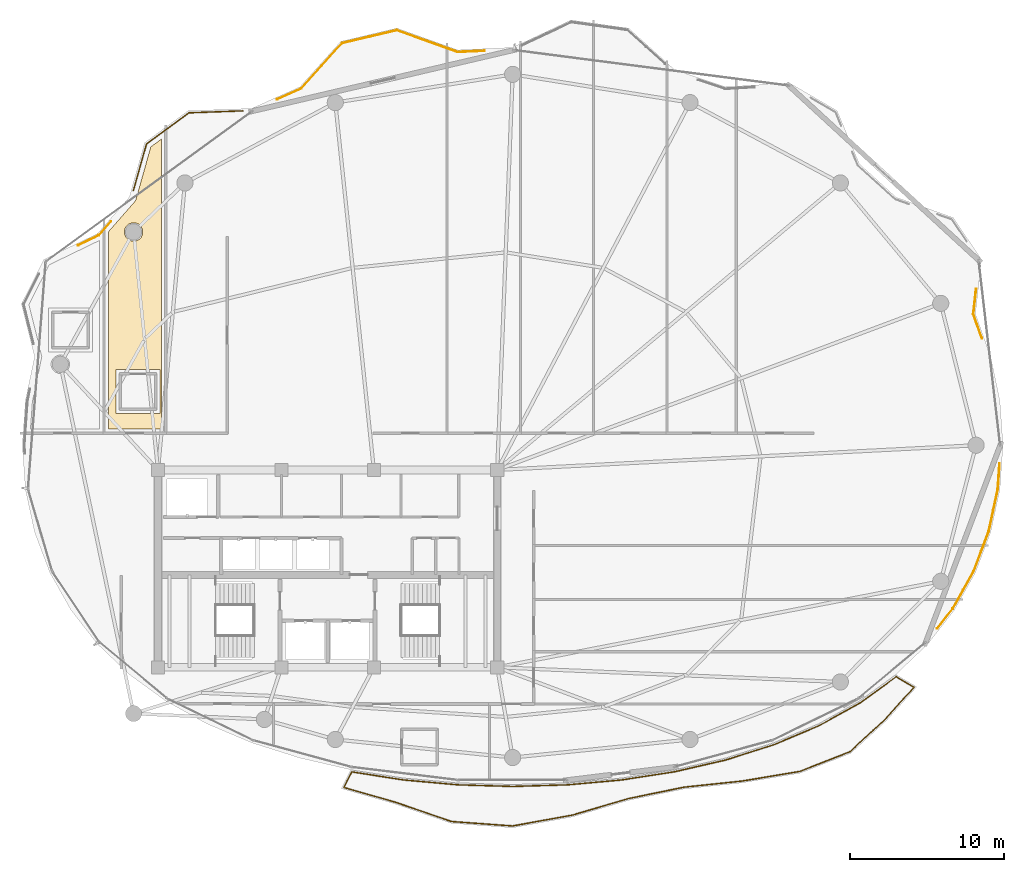
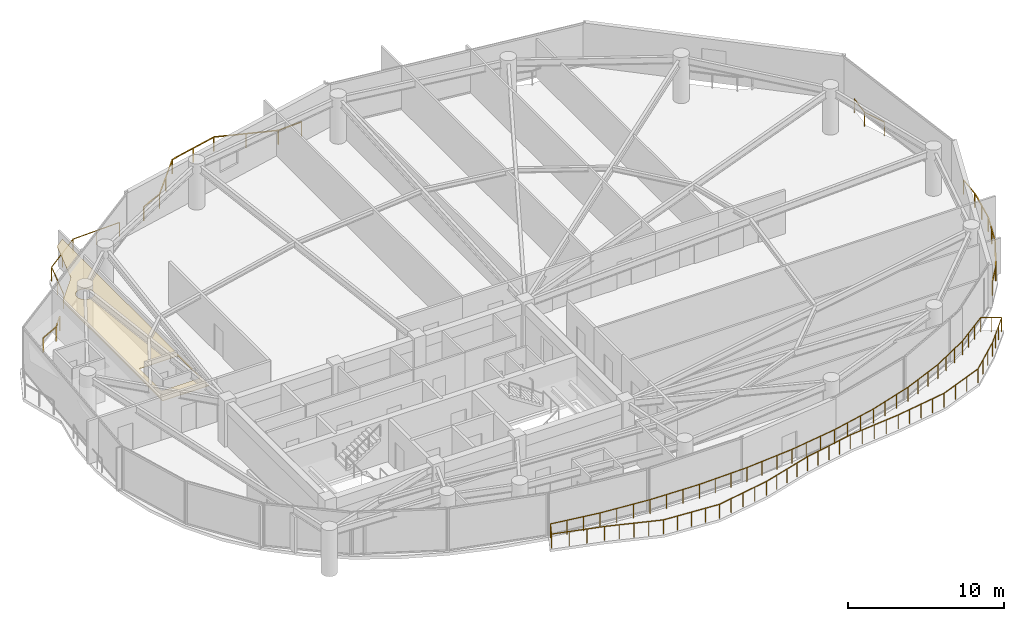
# One storey, part 30 of 31: 6 railings, 1 covering.
"""IFC4 building model written with IfcOpenShell, lengths in metres."""

from ifc_helpers import new_model, si_unit, direction, frame, origin, origin_2d, place, context, subcontext, project, spatial, polyline, rectangle, outline, extrude, material, layer, layer_set, type_object, element, save


model = new_model("IFC4")

# Units and contexts
model_context = context("Model", 3, precision=1e-05, world=origin(), true_north=direction((0.0, 1.0)))
body_context = subcontext(model_context, "Body", "Model", "MODEL_VIEW")
ifc_project = project(units=[si_unit("LENGTHUNIT", "METRE"), si_unit("AREAUNIT", "SQUARE_METRE"), si_unit("VOLUMEUNIT", "CUBIC_METRE"), si_unit("PLANEANGLEUNIT", "RADIAN"), si_unit("MASSUNIT", "GRAM", prefix="KILO")], contexts=[model_context])

# Site, building, storey
site_placement = place(None, origin())
site = spatial("IfcSite", under=ifc_project, at=site_placement, CompositionType="ELEMENT")
building_placement = place(site_placement, origin())
building = spatial("IfcBuilding", under=site, at=building_placement, Name="Kazevale Care Tower and Concert Hall", CompositionType="ELEMENT")
storey_placement = place(building_placement, frame((0.0, 0.0, 206.39990234375)))
storey = spatial("IfcBuildingStorey", under=building, at=storey_placement, Name="L54", CompositionType="ELEMENT", Elevation=206.39990234375)

# Covering
ifc_material_1 = material(Name="Acoustic Plaster and Hinoki Wood", Category="wood")
ifc_layer = layer(ifc_material_1, 0.0400390625)
ifc_layer_set = layer_set([ifc_layer], Name="Acoustic Plaster and Hinoki Wood")
covering_type = type_object("IfcCoveringType", Name="Acoustic Perforated Wood-Gypsum Ceiling", PredefinedType="CEILING", material=ifc_layer_set)
covering_placement = place(storey_placement, frame((0.0, 0.0, 2.710205078125)))
element("IfcCovering", 1, at=covering_placement, inside=storey, type_object=covering_type, Name="clg:L54:2", PredefinedType="CEILING", context=body_context, shape_type="SweptSolid", body=[
    extrude(outline(polyline([(22.219970703125, 57.84912109375), (22.219970703125, 39.054931640625), (18.780029296875, 39.054931640625), (18.780029296875, 51.8349609375), (20.552001953125, 53.861083984375), (21.534912109375, 57.344970703125), (22.219970703125, 57.84912109375)]), holes=[polyline([(19.27001953125, 42.905029296875), (19.27001953125, 40.044921875), (22.1298828125, 40.044921875), (22.1298828125, 42.905029296875), (19.27001953125, 42.905029296875)]), polyline([(21.012939453125, 51.947998046875), (20.923095703125, 52.166015625), (20.756103515625, 52.3330078125), (20.5380859375, 52.423095703125), (20.302001953125, 52.423095703125), (20.083984375, 52.3330078125), (19.9169921875, 52.166015625), (19.826904296875, 51.947998046875), (19.826904296875, 51.7119140625), (19.9169921875, 51.493896484375), (20.083984375, 51.326904296875), (20.302001953125, 51.237060546875), (20.5380859375, 51.237060546875), (20.756103515625, 51.326904296875), (20.923095703125, 51.493896484375), (21.012939453125, 51.7119140625), (21.012939453125, 51.947998046875)])]), origin(), (0.0, 0.0, 1.0), 0.039794921875),
])

# Railings
ifc_material_2 = material(Name="Anodised Bronze Aluminium and Laminated Glass", Category="aluminium")
railing_type = type_object("IfcRailingType", Name="Balcony and Terrace Balustrade 1120", PredefinedType="BALUSTRADE", material=ifc_material_2)
railing_1_placement = place(storey_placement, frame((16.83203125, 50.968994140625, 0.0)))
element("IfcRailing", 2, at=railing_1_placement, inside=storey, type_object=railing_type, Name="rail:L54:perim:3", PredefinedType="BALUSTRADE", context=body_context, shape_type="SweptSolid", body=[
    extrude(rectangle(XDim=0.048095703125, YDim=0.048095703125, at=origin_2d()), frame((0.0, 0.0, 1.09619140625), z_axis=(0.899880965399, 0.436135584553, 0.0), x_axis=(-0.436135584553, 0.899880965399, 0.0)), (0.0, 0.0, 1.0), 1.476806640625),
    extrude(rectangle(XDim=0.048095703125, YDim=0.048095703125, at=origin_2d()), frame((1.328857421875, 0.64404296875, 1.09619140625), z_axis=(0.658533673371, 0.752551261402, 0.0), x_axis=(-0.752551261402, 0.658533673371, 0.0)), (0.0, 0.0, 1.0), 1.189208984375),
    extrude(rectangle(XDim=0.0419921875, YDim=0.0419921875, at=origin_2d()), origin(), (0.0, 0.0, 1.0), 1.072021484375),
    extrude(rectangle(XDim=0.0419921875, YDim=0.0419921875, at=origin_2d()), frame((1.328857421875, 0.64404296875, 0.0)), (0.0, 0.0, 1.0), 1.072021484375),
    extrude(rectangle(XDim=0.0419921875, YDim=0.0419921875, at=origin_2d()), frame((2.112060546875, 1.5390625, 0.0)), (0.0, 0.0, 1.0), 1.072021484375),
])
railing_2_placement = place(storey_placement, frame((20.403076171875, 54.511962890625, 0.0)))
element("IfcRailing", 3, at=railing_2_placement, inside=storey, type_object=railing_type, Name="rail:L54:perim:4", PredefinedType="BALUSTRADE", context=body_context, shape_type="SweptSolid", body=[
    extrude(rectangle(XDim=0.048095703125, YDim=0.048095703125, at=origin_2d()), frame((0.0, 0.0, 1.09619140625), z_axis=(0.27160216444, 0.962409613559, 0.0), x_axis=(-0.962409613559, 0.27160216444, 0.0)), (0.0, 0.0, 1.0), 3.144287109375),
    extrude(rectangle(XDim=0.048095703125, YDim=0.048095703125, at=origin_2d()), frame((0.85400390625, 3.026123046875, 1.09619140625), z_axis=(0.805881115656, 0.592077382973, 0.0), x_axis=(-0.592077382973, 0.805881115656, 0.0)), (0.0, 0.0, 1.0), 3.40966796875),
    extrude(rectangle(XDim=0.048095703125, YDim=0.048095703125, at=origin_2d()), frame((3.601806640625, 5.044921875, 1.09619140625), z_axis=(0.999339175446, 0.036348485787, 0.0), x_axis=(-0.036348485787, 0.999339175446, 0.0)), (0.0, 0.0, 1.0), 3.499267578125),
    extrude(rectangle(XDim=0.0419921875, YDim=0.0419921875, at=origin_2d()), origin(), (0.0, 0.0, 1.0), 1.072021484375),
    extrude(rectangle(XDim=0.0419921875, YDim=0.0419921875, at=origin_2d()), frame((0.427001953125, 1.51318359375, 0.0)), (0.0, 0.0, 1.0), 1.072021484375),
    extrude(rectangle(XDim=0.0419921875, YDim=0.0419921875, at=origin_2d()), frame((0.85400390625, 3.026123046875, 0.0)), (0.0, 0.0, 1.0), 1.072021484375),
    extrude(rectangle(XDim=0.0419921875, YDim=0.0419921875, at=origin_2d()), frame((2.22802734375, 4.03564453125, 0.0)), (0.0, 0.0, 1.0), 1.072021484375),
    extrude(rectangle(XDim=0.0419921875, YDim=0.0419921875, at=origin_2d()), frame((3.601806640625, 5.044921875, 0.0)), (0.0, 0.0, 1.0), 1.072021484375),
    extrude(rectangle(XDim=0.0419921875, YDim=0.0419921875, at=origin_2d()), frame((5.350341796875, 5.1083984375, 0.0)), (0.0, 0.0, 1.0), 1.072021484375),
    extrude(rectangle(XDim=0.0419921875, YDim=0.0419921875, at=origin_2d()), frame((7.098876953125, 5.172119140625, 0.0)), (0.0, 0.0, 1.0), 1.072021484375),
])
railing_3_placement = place(storey_placement, frame((29.737060546875, 60.43505859375, 0.0)))
element("IfcRailing", 4, at=railing_3_placement, inside=storey, type_object=railing_type, Name="rail:L54:perim:5", PredefinedType="BALUSTRADE", context=body_context, shape_type="SweptSolid", body=[
    extrude(rectangle(XDim=0.048095703125, YDim=0.048095703125, at=origin_2d()), frame((0.0, 0.0, 1.09619140625), z_axis=(0.912729386392, 0.408564642641, 0.0), x_axis=(-0.408564642641, 0.912729386392, 0.0)), (0.0, 0.0, 1.0), 1.6982421875),
    extrude(rectangle(XDim=0.048095703125, YDim=0.048095703125, at=origin_2d()), frame((1.550048828125, 0.69384765625, 1.09619140625), z_axis=(0.668500240789, 0.743711925456, 0.0), x_axis=(-0.743711925456, 0.668500240789, 0.0)), (0.0, 0.0, 1.0), 3.950439453125),
    extrude(rectangle(XDim=0.048095703125, YDim=0.048095703125, at=origin_2d()), frame((4.19091796875, 3.6318359375, 1.09619140625), z_axis=(0.97312090779, 0.2302948085, 0.0), x_axis=(-0.2302948085, 0.97312090779, 0.0)), (0.0, 0.0, 1.0), 3.652099609375),
    extrude(rectangle(XDim=0.048095703125, YDim=0.048095703125, at=origin_2d()), frame((7.744873046875, 4.472900390625, 1.09619140625), z_axis=(0.941350252636, -0.337431032749, 0.0), x_axis=(0.337431032749, 0.941350252636, 0.0)), (0.0, 0.0, 1.0), 4.18115234375),
    extrude(rectangle(XDim=0.048095703125, YDim=0.048095703125, at=origin_2d()), frame((11.680908203125, 3.06201171875, 1.09619140625), z_axis=(0.998977358959, 0.045213231333, 0.0), x_axis=(-0.045213231333, 0.998977358959, 0.0)), (0.0, 0.0, 1.0), 1.765625),
    extrude(rectangle(XDim=0.0419921875, YDim=0.0419921875, at=origin_2d()), origin(), (0.0, 0.0, 1.0), 1.072021484375),
    extrude(rectangle(XDim=0.0419921875, YDim=0.0419921875, at=origin_2d()), frame((1.550048828125, 0.69384765625, 0.0)), (0.0, 0.0, 1.0), 1.072021484375),
    extrude(rectangle(XDim=0.0419921875, YDim=0.0419921875, at=origin_2d()), frame((2.87060546875, 2.162841796875, 0.0)), (0.0, 0.0, 1.0), 1.072021484375),
    extrude(rectangle(XDim=0.0419921875, YDim=0.0419921875, at=origin_2d()), frame((4.19091796875, 3.6318359375, 0.0)), (0.0, 0.0, 1.0), 1.072021484375),
    extrude(rectangle(XDim=0.0419921875, YDim=0.0419921875, at=origin_2d()), frame((5.9677734375, 4.05224609375, 0.0)), (0.0, 0.0, 1.0), 1.072021484375),
    extrude(rectangle(XDim=0.0419921875, YDim=0.0419921875, at=origin_2d()), frame((7.744873046875, 4.472900390625, 0.0)), (0.0, 0.0, 1.0), 1.072021484375),
    extrude(rectangle(XDim=0.0419921875, YDim=0.0419921875, at=origin_2d()), frame((9.712890625, 3.767578125, 0.0)), (0.0, 0.0, 1.0), 1.072021484375),
    extrude(rectangle(XDim=0.0419921875, YDim=0.0419921875, at=origin_2d()), frame((11.680908203125, 3.06201171875, 0.0)), (0.0, 0.0, 1.0), 1.072021484375),
    extrude(rectangle(XDim=0.0419921875, YDim=0.0419921875, at=origin_2d()), frame((13.44482421875, 3.141845703125, 0.0)), (0.0, 0.0, 1.0), 1.072021484375),
])
railing_4_placement = place(storey_placement, frame((76.576904296875, 36.81103515625, 0.0)))
element("IfcRailing", 5, at=railing_4_placement, inside=storey, type_object=railing_type, Name="rail:L54:perim:11", PredefinedType="BALUSTRADE", context=body_context, shape_type="SweptSolid", body=[
    extrude(rectangle(XDim=0.048095703125, YDim=0.048095703125, at=origin_2d()), frame((0.0, 0.0, 1.09619140625), z_axis=(-0.069683140934, -0.997569175481, 0.0), x_axis=(0.997569175481, -0.069683140934, 0.0)), (0.0, 0.0, 1.0), 1.664306640625),
    extrude(rectangle(XDim=0.048095703125, YDim=0.048095703125, at=origin_2d()), frame((-0.115966796875, -1.66015625, 1.09619140625), z_axis=(-0.210886672564, -0.97751051725, 0.0), x_axis=(0.97751051725, -0.210886672564, 0.0)), (0.0, 0.0, 1.0), 2.81201171875),
    extrude(rectangle(XDim=0.048095703125, YDim=0.048095703125, at=origin_2d()), frame((-0.708984375, -4.408935546875, 1.09619140625), z_axis=(-0.352914941795, -0.935655408715, 0.0), x_axis=(0.935655408715, -0.352914941795, 0.0)), (0.0, 0.0, 1.0), 2.77685546875),
    extrude(rectangle(XDim=0.048095703125, YDim=0.048095703125, at=origin_2d()), frame((-1.68896484375, -7.007080078125, 1.09619140625), z_axis=(-0.490131162051, -0.871648692987, 0.0), x_axis=(0.871648692987, -0.490131162051, 0.0)), (0.0, 0.0, 1.0), 2.762451171875),
    extrude(rectangle(XDim=0.048095703125, YDim=0.048095703125, at=origin_2d()), frame((-3.04296875, -9.4150390625, 1.09619140625), z_axis=(-0.615507243123, -0.788131228707, 0.0), x_axis=(0.788131228707, -0.615507243123, 0.0)), (0.0, 0.0, 1.0), 1.6279296875),
    extrude(rectangle(XDim=0.0419921875, YDim=0.0419921875, at=origin_2d()), origin(), (0.0, 0.0, 1.0), 1.072021484375),
    extrude(rectangle(XDim=0.0419921875, YDim=0.0419921875, at=origin_2d()), frame((-0.115966796875, -1.66015625, 0.0)), (0.0, 0.0, 1.0), 1.072021484375),
    extrude(rectangle(XDim=0.0419921875, YDim=0.0419921875, at=origin_2d()), frame((-0.41259765625, -3.03466796875, 0.0)), (0.0, 0.0, 1.0), 1.072021484375),
    extrude(rectangle(XDim=0.0419921875, YDim=0.0419921875, at=origin_2d()), frame((-0.708984375, -4.408935546875, 0.0)), (0.0, 0.0, 1.0), 1.072021484375),
    extrude(rectangle(XDim=0.0419921875, YDim=0.0419921875, at=origin_2d()), frame((-1.198974609375, -5.7080078125, 0.0)), (0.0, 0.0, 1.0), 1.072021484375),
    extrude(rectangle(XDim=0.0419921875, YDim=0.0419921875, at=origin_2d()), frame((-1.68896484375, -7.007080078125, 0.0)), (0.0, 0.0, 1.0), 1.072021484375),
    extrude(rectangle(XDim=0.0419921875, YDim=0.0419921875, at=origin_2d()), frame((-2.365966796875, -8.2109375, 0.0)), (0.0, 0.0, 1.0), 1.072021484375),
    extrude(rectangle(XDim=0.0419921875, YDim=0.0419921875, at=origin_2d()), frame((-3.04296875, -9.4150390625, 0.0)), (0.0, 0.0, 1.0), 1.072021484375),
    extrude(rectangle(XDim=0.0419921875, YDim=0.0419921875, at=origin_2d()), frame((-4.044921875, -10.697998046875, 0.0)), (0.0, 0.0, 1.0), 1.072021484375),
])
railing_5_placement = place(storey_placement, frame((75.054931640625, 48.138916015625, 0.0)))
element("IfcRailing", 6, at=railing_5_placement, inside=storey, type_object=railing_type, Name="rail:L54:perim:12", PredefinedType="BALUSTRADE", context=body_context, shape_type="SweptSolid", body=[
    extrude(rectangle(XDim=0.048095703125, YDim=0.048095703125, at=origin_2d()), frame((0.0, 0.0, 1.09619140625), z_axis=(-0.110627099756, -0.993861984784, 0.0), x_axis=(0.993861984784, -0.110627099756, 0.0)), (0.0, 0.0, 1.0), 1.64404296875),
    extrude(rectangle(XDim=0.048095703125, YDim=0.048095703125, at=origin_2d()), frame((-0.181884765625, -1.634033203125, 1.09619140625), z_axis=(0.334582750454, -0.942366374134, 0.0), x_axis=(0.942366374134, 0.334582750454, 0.0)), (0.0, 0.0, 1.0), 1.65869140625),
    extrude(rectangle(XDim=0.0419921875, YDim=0.0419921875, at=origin_2d()), origin(), (0.0, 0.0, 1.0), 1.072021484375),
    extrude(rectangle(XDim=0.0419921875, YDim=0.0419921875, at=origin_2d()), frame((-0.181884765625, -1.634033203125, 0.0)), (0.0, 0.0, 1.0), 1.072021484375),
    extrude(rectangle(XDim=0.0419921875, YDim=0.0419921875, at=origin_2d()), frame((0.373046875, -3.197021484375, 0.0)), (0.0, 0.0, 1.0), 1.072021484375),
])
railing_6_placement = place(storey_placement, frame((34.56298828125, 16.819091796875, 0.0)))
element("IfcRailing", 7, at=railing_6_placement, inside=storey, type_object=railing_type, Name="rail:L54:balcony", PredefinedType="BALUSTRADE", context=body_context, shape_type="SweptSolid", body=[
    extrude(rectangle(XDim=0.048095703125, YDim=0.048095703125, at=origin_2d()), frame((0.0, 0.0, 1.09619140625), z_axis=(0.988093340761, -0.15385561395, 0.0), x_axis=(0.15385561395, 0.988093340761, 0.0)), (0.0, 0.0, 1.0), 3.38623046875),
    extrude(rectangle(XDim=0.048095703125, YDim=0.048095703125, at=origin_2d()), frame((3.345947265625, -0.52099609375, 1.09619140625), z_axis=(0.995947899496, -0.089932093766, 0.0), x_axis=(0.089932093766, 0.995947899496, 0.0)), (0.0, 0.0, 1.0), 3.537353515625),
    extrude(rectangle(XDim=0.048095703125, YDim=0.048095703125, at=origin_2d()), frame((6.868896484375, -0.839111328125, 1.09619140625), z_axis=(0.999567458851, -0.029409100739, 0.0), x_axis=(0.029409100739, 0.999567458851, 0.0)), (0.0, 0.0, 1.0), 3.569580078125),
    extrude(rectangle(XDim=0.048095703125, YDim=0.048095703125, at=origin_2d()), frame((10.43701171875, -0.944091796875, 1.09619140625), z_axis=(0.999567458851, 0.029409100739, 0.0), x_axis=(-0.029409100739, 0.999567458851, 0.0)), (0.0, 0.0, 1.0), 3.569580078125),
    extrude(rectangle(XDim=0.048095703125, YDim=0.048095703125, at=origin_2d()), frame((14.005126953125, -0.839111328125, 1.09619140625), z_axis=(0.995947899496, 0.089932093766, 0.0), x_axis=(-0.089932093766, 0.995947899496, 0.0)), (0.0, 0.0, 1.0), 3.537353515625),
    extrude(rectangle(XDim=0.048095703125, YDim=0.048095703125, at=origin_2d()), frame((17.528076171875, -0.52099609375, 1.09619140625), z_axis=(0.988098216207, 0.153824299539, 0.0), x_axis=(-0.153824299539, 0.988098216207, 0.0)), (0.0, 0.0, 1.0), 3.4775390625),
    extrude(rectangle(XDim=0.048095703125, YDim=0.048095703125, at=origin_2d()), frame((20.964111328125, 0.013916015625, 1.09619140625), z_axis=(0.974534254558, 0.224238682418, 0.0), x_axis=(-0.224238682418, 0.974534254558, 0.0)), (0.0, 0.0, 1.0), 3.389404296875),
    extrude(rectangle(XDim=0.048095703125, YDim=0.048095703125, at=origin_2d()), frame((24.26708984375, 0.77392578125, 1.09619140625), z_axis=(0.953239514235, 0.302215864078, 0.0), x_axis=(-0.302215864078, 0.953239514235, 0.0)), (0.0, 0.0, 1.0), 3.285400390625),
    extrude(rectangle(XDim=0.048095703125, YDim=0.048095703125, at=origin_2d()), frame((27.39892578125, 1.766845703125, 1.09619140625), z_axis=(0.921006567992, 0.389547046858, 0.0), x_axis=(-0.389547046858, 0.921006567992, 0.0)), (0.0, 0.0, 1.0), 3.170654296875),
    extrude(rectangle(XDim=0.048095703125, YDim=0.048095703125, at=origin_2d()), frame((30.319091796875, 3.001953125, 1.09619140625), z_axis=(0.874149737903, 0.485656499724, 0.0), x_axis=(-0.485656499724, 0.874149737903, 0.0)), (0.0, 0.0, 1.0), 3.055419921875),
    extrude(rectangle(XDim=0.048095703125, YDim=0.048095703125, at=origin_2d()), frame((32.989990234375, 4.48583984375, 1.09619140625), z_axis=(0.809111467971, 0.587655198562, 0.0), x_axis=(-0.587655198562, 0.809111467971, 0.0)), (0.0, 0.0, 1.0), 2.867431640625),
    extrude(rectangle(XDim=0.048095703125, YDim=0.048095703125, at=origin_2d()), frame((35.31005859375, 6.1708984375, 1.09619140625), z_axis=(0.858393665288, -0.512991535402, 0.0), x_axis=(0.512991535402, 0.858393665288, 0.0)), (0.0, 0.0, 1.0), 1.33740234375),
    extrude(rectangle(XDim=0.048095703125, YDim=0.048095703125, at=origin_2d()), frame((36.4580078125, 5.48486328125, 1.09619140625), z_axis=(-0.668384241521, -0.743816177349, 0.0), x_axis=(0.743816177349, -0.668384241521, 0.0)), (0.0, 0.0, 1.0), 2.8125),
    extrude(rectangle(XDim=0.048095703125, YDim=0.048095703125, at=origin_2d()), frame((34.578125, 3.392822265625, 1.09619140625), z_axis=(-0.737052488567, -0.675835504467, 0.0), x_axis=(0.675835504467, -0.737052488567, 0.0)), (0.0, 0.0, 1.0), 3.0908203125),
    extrude(rectangle(XDim=0.048095703125, YDim=0.048095703125, at=origin_2d()), frame((32.300048828125, 1.303955078125, 1.09619140625), z_axis=(-0.930836510622, -0.365435891084, 0.0), x_axis=(0.365435891084, -0.930836510622, 0.0)), (0.0, 0.0, 1.0), 3.489501953125),
    extrude(rectangle(XDim=0.048095703125, YDim=0.048095703125, at=origin_2d()), frame((29.052001953125, 0.02880859375, 1.09619140625), z_axis=(-0.986416538605, -0.164263241072, 0.0), x_axis=(0.164263241072, -0.986416538605, 0.0)), (0.0, 0.0, 1.0), 3.79150390625),
    extrude(rectangle(XDim=0.048095703125, YDim=0.048095703125, at=origin_2d()), frame((25.31201171875, -0.593994140625, 1.09619140625), z_axis=(-0.994432821465, -0.105372499228, 0.0), x_axis=(0.105372499228, -0.994432821465, 0.0)), (0.0, 0.0, 1.0), 3.7880859375),
    extrude(rectangle(XDim=0.048095703125, YDim=0.048095703125, at=origin_2d()), frame((21.544921875, -0.9931640625, 1.09619140625), z_axis=(-0.979808858255, -0.199936493129, 0.0), x_axis=(0.199936493129, -0.979808858255, 0.0)), (0.0, 0.0, 1.0), 3.660888671875),
    extrude(rectangle(XDim=0.048095703125, YDim=0.048095703125, at=origin_2d()), frame((17.9580078125, -1.72509765625, 1.09619140625), z_axis=(-0.959075433018, -0.283150690942, 0.0), x_axis=(0.283150690942, -0.959075433018, 0.0)), (0.0, 0.0, 1.0), 3.7861328125),
    extrude(rectangle(XDim=0.048095703125, YDim=0.048095703125, at=origin_2d()), frame((14.326904296875, -2.797119140625, 1.09619140625), z_axis=(-0.983798812619, -0.179276033782, 0.0), x_axis=(0.179276033782, -0.983798812619, 0.0)), (0.0, 0.0, 1.0), 3.960205078125),
    extrude(rectangle(XDim=0.048095703125, YDim=0.048095703125, at=origin_2d()), frame((10.430908203125, -3.507080078125, 1.09619140625), z_axis=(-0.997342128338, 0.072860682418, 0.0), x_axis=(-0.072860682418, -0.997342128338, 0.0)), (0.0, 0.0, 1.0), 3.96728515625),
    extrude(rectangle(XDim=0.048095703125, YDim=0.048095703125, at=origin_2d()), frame((6.47412109375, -3.218017578125, 1.09619140625), z_axis=(-0.945671323104, 0.325124204971, 0.0), x_axis=(-0.325124204971, -0.945671323104, 0.0)), (0.0, 0.0, 1.0), 3.838623046875),
    extrude(rectangle(XDim=0.048095703125, YDim=0.048095703125, at=origin_2d()), frame((2.843994140625, -1.969970703125, 1.09619140625), z_axis=(-0.961264286411, 0.275628321605, 0.0), x_axis=(-0.275628321605, -0.961264286411, 0.0)), (0.0, 0.0, 1.0), 3.48291015625),
    extrude(rectangle(XDim=0.048095703125, YDim=0.048095703125, at=origin_2d()), frame((-0.50390625, -1.010009765625, 1.09619140625), z_axis=(0.446434760748, 0.894816184697, 0.0), x_axis=(-0.894816184697, 0.446434760748, 0.0)), (0.0, 0.0, 1.0), 1.128662109375),
    extrude(rectangle(XDim=0.0419921875, YDim=0.0419921875, at=origin_2d()), origin(), (0.0, 0.0, 1.0), 1.072021484375),
    extrude(rectangle(XDim=0.0419921875, YDim=0.0419921875, at=origin_2d()), frame((1.115234375, -0.173583984375, 0.0)), (0.0, 0.0, 1.0), 1.072021484375),
    extrude(rectangle(XDim=0.0419921875, YDim=0.0419921875, at=origin_2d()), frame((2.230712890625, -0.347412109375, 0.0)), (0.0, 0.0, 1.0), 1.072021484375),
    extrude(rectangle(XDim=0.0419921875, YDim=0.0419921875, at=origin_2d()), frame((3.345947265625, -0.52099609375, 0.0)), (0.0, 0.0, 1.0), 1.072021484375),
    extrude(rectangle(XDim=0.0419921875, YDim=0.0419921875, at=origin_2d()), frame((4.520263671875, -0.626953125, 0.0)), (0.0, 0.0, 1.0), 1.072021484375),
    extrude(rectangle(XDim=0.0419921875, YDim=0.0419921875, at=origin_2d()), frame((5.694580078125, -0.733154296875, 0.0)), (0.0, 0.0, 1.0), 1.072021484375),
    extrude(rectangle(XDim=0.0419921875, YDim=0.0419921875, at=origin_2d()), frame((6.868896484375, -0.839111328125, 0.0)), (0.0, 0.0, 1.0), 1.072021484375),
    extrude(rectangle(XDim=0.0419921875, YDim=0.0419921875, at=origin_2d()), frame((8.058349609375, -0.8740234375, 0.0)), (0.0, 0.0, 1.0), 1.072021484375),
    extrude(rectangle(XDim=0.0419921875, YDim=0.0419921875, at=origin_2d()), frame((9.24755859375, -0.9091796875, 0.0)), (0.0, 0.0, 1.0), 1.072021484375),
    extrude(rectangle(XDim=0.0419921875, YDim=0.0419921875, at=origin_2d()), frame((10.43701171875, -0.944091796875, 0.0)), (0.0, 0.0, 1.0), 1.072021484375),
    extrude(rectangle(XDim=0.0419921875, YDim=0.0419921875, at=origin_2d()), frame((11.62646484375, -0.9091796875, 0.0)), (0.0, 0.0, 1.0), 1.072021484375),
    extrude(rectangle(XDim=0.0419921875, YDim=0.0419921875, at=origin_2d()), frame((12.815673828125, -0.8740234375, 0.0)), (0.0, 0.0, 1.0), 1.072021484375),
    extrude(rectangle(XDim=0.0419921875, YDim=0.0419921875, at=origin_2d()), frame((14.005126953125, -0.839111328125, 0.0)), (0.0, 0.0, 1.0), 1.072021484375),
    extrude(rectangle(XDim=0.0419921875, YDim=0.0419921875, at=origin_2d()), frame((15.179443359375, -0.733154296875, 0.0)), (0.0, 0.0, 1.0), 1.072021484375),
    extrude(rectangle(XDim=0.0419921875, YDim=0.0419921875, at=origin_2d()), frame((16.353759765625, -0.626953125, 0.0)), (0.0, 0.0, 1.0), 1.072021484375),
    extrude(rectangle(XDim=0.0419921875, YDim=0.0419921875, at=origin_2d()), frame((17.528076171875, -0.52099609375, 0.0)), (0.0, 0.0, 1.0), 1.072021484375),
    extrude(rectangle(XDim=0.0419921875, YDim=0.0419921875, at=origin_2d()), frame((18.67333984375, -0.3427734375, 0.0)), (0.0, 0.0, 1.0), 1.072021484375),
    extrude(rectangle(XDim=0.0419921875, YDim=0.0419921875, at=origin_2d()), frame((19.81884765625, -0.164306640625, 0.0)), (0.0, 0.0, 1.0), 1.072021484375),
    extrude(rectangle(XDim=0.0419921875, YDim=0.0419921875, at=origin_2d()), frame((20.964111328125, 0.013916015625, 0.0)), (0.0, 0.0, 1.0), 1.072021484375),
    extrude(rectangle(XDim=0.0419921875, YDim=0.0419921875, at=origin_2d()), frame((22.065185546875, 0.267333984375, 0.0)), (0.0, 0.0, 1.0), 1.072021484375),
    extrude(rectangle(XDim=0.0419921875, YDim=0.0419921875, at=origin_2d()), frame((23.166015625, 0.5205078125, 0.0)), (0.0, 0.0, 1.0), 1.072021484375),
    extrude(rectangle(XDim=0.0419921875, YDim=0.0419921875, at=origin_2d()), frame((24.26708984375, 0.77392578125, 0.0)), (0.0, 0.0, 1.0), 1.072021484375),
    extrude(rectangle(XDim=0.0419921875, YDim=0.0419921875, at=origin_2d()), frame((25.31103515625, 1.10498046875, 0.0)), (0.0, 0.0, 1.0), 1.072021484375),
    extrude(rectangle(XDim=0.0419921875, YDim=0.0419921875, at=origin_2d()), frame((26.35498046875, 1.435791015625, 0.0)), (0.0, 0.0, 1.0), 1.072021484375),
    extrude(rectangle(XDim=0.0419921875, YDim=0.0419921875, at=origin_2d()), frame((27.39892578125, 1.766845703125, 0.0)), (0.0, 0.0, 1.0), 1.072021484375),
    extrude(rectangle(XDim=0.0419921875, YDim=0.0419921875, at=origin_2d()), frame((28.372314453125, 2.178466796875, 0.0)), (0.0, 0.0, 1.0), 1.072021484375),
    extrude(rectangle(XDim=0.0419921875, YDim=0.0419921875, at=origin_2d()), frame((29.345703125, 2.59033203125, 0.0)), (0.0, 0.0, 1.0), 1.072021484375),
    extrude(rectangle(XDim=0.0419921875, YDim=0.0419921875, at=origin_2d()), frame((30.319091796875, 3.001953125, 0.0)), (0.0, 0.0, 1.0), 1.072021484375),
    extrude(rectangle(XDim=0.0419921875, YDim=0.0419921875, at=origin_2d()), frame((31.20947265625, 3.49658203125, 0.0)), (0.0, 0.0, 1.0), 1.072021484375),
    extrude(rectangle(XDim=0.0419921875, YDim=0.0419921875, at=origin_2d()), frame((32.099609375, 3.9912109375, 0.0)), (0.0, 0.0, 1.0), 1.072021484375),
    extrude(rectangle(XDim=0.0419921875, YDim=0.0419921875, at=origin_2d()), frame((32.989990234375, 4.48583984375, 0.0)), (0.0, 0.0, 1.0), 1.072021484375),
    extrude(rectangle(XDim=0.0419921875, YDim=0.0419921875, at=origin_2d()), frame((33.763427734375, 5.047607421875, 0.0)), (0.0, 0.0, 1.0), 1.072021484375),
    extrude(rectangle(XDim=0.0419921875, YDim=0.0419921875, at=origin_2d()), frame((34.53662109375, 5.609130859375, 0.0)), (0.0, 0.0, 1.0), 1.072021484375),
    extrude(rectangle(XDim=0.0419921875, YDim=0.0419921875, at=origin_2d()), frame((35.31005859375, 6.1708984375, 0.0)), (0.0, 0.0, 1.0), 1.072021484375),
    extrude(rectangle(XDim=0.0419921875, YDim=0.0419921875, at=origin_2d()), frame((35.884033203125, 5.827880859375, 0.0)), (0.0, 0.0, 1.0), 1.072021484375),
    extrude(rectangle(XDim=0.0419921875, YDim=0.0419921875, at=origin_2d()), frame((36.4580078125, 5.48486328125, 0.0)), (0.0, 0.0, 1.0), 1.072021484375),
    extrude(rectangle(XDim=0.0419921875, YDim=0.0419921875, at=origin_2d()), frame((35.831298828125, 4.78759765625, 0.0)), (0.0, 0.0, 1.0), 1.072021484375),
    extrude(rectangle(XDim=0.0419921875, YDim=0.0419921875, at=origin_2d()), frame((35.204833984375, 4.090087890625, 0.0)), (0.0, 0.0, 1.0), 1.072021484375),
    extrude(rectangle(XDim=0.0419921875, YDim=0.0419921875, at=origin_2d()), frame((34.578125, 3.392822265625, 0.0)), (0.0, 0.0, 1.0), 1.072021484375),
    extrude(rectangle(XDim=0.0419921875, YDim=0.0419921875, at=origin_2d()), frame((33.81884765625, 2.696533203125, 0.0)), (0.0, 0.0, 1.0), 1.072021484375),
    extrude(rectangle(XDim=0.0419921875, YDim=0.0419921875, at=origin_2d()), frame((33.059326171875, 2.000244140625, 0.0)), (0.0, 0.0, 1.0), 1.072021484375),
    extrude(rectangle(XDim=0.0419921875, YDim=0.0419921875, at=origin_2d()), frame((32.300048828125, 1.303955078125, 0.0)), (0.0, 0.0, 1.0), 1.072021484375),
    extrude(rectangle(XDim=0.0419921875, YDim=0.0419921875, at=origin_2d()), frame((31.21728515625, 0.87890625, 0.0)), (0.0, 0.0, 1.0), 1.072021484375),
    extrude(rectangle(XDim=0.0419921875, YDim=0.0419921875, at=origin_2d()), frame((30.134765625, 0.453857421875, 0.0)), (0.0, 0.0, 1.0), 1.072021484375),
    extrude(rectangle(XDim=0.0419921875, YDim=0.0419921875, at=origin_2d()), frame((29.052001953125, 0.02880859375, 0.0)), (0.0, 0.0, 1.0), 1.072021484375),
    extrude(rectangle(XDim=0.0419921875, YDim=0.0419921875, at=origin_2d()), frame((28.116943359375, -0.126953125, 0.0)), (0.0, 0.0, 1.0), 1.072021484375),
    extrude(rectangle(XDim=0.0419921875, YDim=0.0419921875, at=origin_2d()), frame((27.18212890625, -0.28271484375, 0.0)), (0.0, 0.0, 1.0), 1.072021484375),
    extrude(rectangle(XDim=0.0419921875, YDim=0.0419921875, at=origin_2d()), frame((26.2470703125, -0.438232421875, 0.0)), (0.0, 0.0, 1.0), 1.072021484375),
    extrude(rectangle(XDim=0.0419921875, YDim=0.0419921875, at=origin_2d()), frame((25.31201171875, -0.593994140625, 0.0)), (0.0, 0.0, 1.0), 1.072021484375),
    extrude(rectangle(XDim=0.0419921875, YDim=0.0419921875, at=origin_2d()), frame((24.3701171875, -0.69384765625, 0.0)), (0.0, 0.0, 1.0), 1.072021484375),
    extrude(rectangle(XDim=0.0419921875, YDim=0.0419921875, at=origin_2d()), frame((23.428466796875, -0.79345703125, 0.0)), (0.0, 0.0, 1.0), 1.072021484375),
    extrude(rectangle(XDim=0.0419921875, YDim=0.0419921875, at=origin_2d()), frame((22.48681640625, -0.893310546875, 0.0)), (0.0, 0.0, 1.0), 1.072021484375),
    extrude(rectangle(XDim=0.0419921875, YDim=0.0419921875, at=origin_2d()), frame((21.544921875, -0.9931640625, 0.0)), (0.0, 0.0, 1.0), 1.072021484375),
    extrude(rectangle(XDim=0.0419921875, YDim=0.0419921875, at=origin_2d()), frame((20.648193359375, -1.17626953125, 0.0)), (0.0, 0.0, 1.0), 1.072021484375),
    extrude(rectangle(XDim=0.0419921875, YDim=0.0419921875, at=origin_2d()), frame((19.75146484375, -1.359130859375, 0.0)), (0.0, 0.0, 1.0), 1.072021484375),
    extrude(rectangle(XDim=0.0419921875, YDim=0.0419921875, at=origin_2d()), frame((18.854736328125, -1.5419921875, 0.0)), (0.0, 0.0, 1.0), 1.072021484375),
    extrude(rectangle(XDim=0.0419921875, YDim=0.0419921875, at=origin_2d()), frame((17.9580078125, -1.72509765625, 0.0)), (0.0, 0.0, 1.0), 1.072021484375),
    extrude(rectangle(XDim=0.0419921875, YDim=0.0419921875, at=origin_2d()), frame((17.05029296875, -1.9931640625, 0.0)), (0.0, 0.0, 1.0), 1.072021484375),
    extrude(rectangle(XDim=0.0419921875, YDim=0.0419921875, at=origin_2d()), frame((16.142578125, -2.26123046875, 0.0)), (0.0, 0.0, 1.0), 1.072021484375),
    extrude(rectangle(XDim=0.0419921875, YDim=0.0419921875, at=origin_2d()), frame((15.234619140625, -2.529052734375, 0.0)), (0.0, 0.0, 1.0), 1.072021484375),
    extrude(rectangle(XDim=0.0419921875, YDim=0.0419921875, at=origin_2d()), frame((14.326904296875, -2.797119140625, 0.0)), (0.0, 0.0, 1.0), 1.072021484375),
    extrude(rectangle(XDim=0.0419921875, YDim=0.0419921875, at=origin_2d()), frame((13.35302734375, -2.974609375, 0.0)), (0.0, 0.0, 1.0), 1.072021484375),
    extrude(rectangle(XDim=0.0419921875, YDim=0.0419921875, at=origin_2d()), frame((12.37890625, -3.152099609375, 0.0)), (0.0, 0.0, 1.0), 1.072021484375),
    extrude(rectangle(XDim=0.0419921875, YDim=0.0419921875, at=origin_2d()), frame((11.40478515625, -3.32958984375, 0.0)), (0.0, 0.0, 1.0), 1.072021484375),
    extrude(rectangle(XDim=0.0419921875, YDim=0.0419921875, at=origin_2d()), frame((10.430908203125, -3.507080078125, 0.0)), (0.0, 0.0, 1.0), 1.072021484375),
    extrude(rectangle(XDim=0.0419921875, YDim=0.0419921875, at=origin_2d()), frame((9.441650390625, -3.434814453125, 0.0)), (0.0, 0.0, 1.0), 1.072021484375),
    extrude(rectangle(XDim=0.0419921875, YDim=0.0419921875, at=origin_2d()), frame((8.45263671875, -3.362548828125, 0.0)), (0.0, 0.0, 1.0), 1.072021484375),
    extrude(rectangle(XDim=0.0419921875, YDim=0.0419921875, at=origin_2d()), frame((7.46337890625, -3.290283203125, 0.0)), (0.0, 0.0, 1.0), 1.072021484375),
    extrude(rectangle(XDim=0.0419921875, YDim=0.0419921875, at=origin_2d()), frame((6.47412109375, -3.218017578125, 0.0)), (0.0, 0.0, 1.0), 1.072021484375),
    extrude(rectangle(XDim=0.0419921875, YDim=0.0419921875, at=origin_2d()), frame((5.566650390625, -2.906005859375, 0.0)), (0.0, 0.0, 1.0), 1.072021484375),
    extrude(rectangle(XDim=0.0419921875, YDim=0.0419921875, at=origin_2d()), frame((4.6591796875, -2.593994140625, 0.0)), (0.0, 0.0, 1.0), 1.072021484375),
    extrude(rectangle(XDim=0.0419921875, YDim=0.0419921875, at=origin_2d()), frame((3.75146484375, -2.281982421875, 0.0)), (0.0, 0.0, 1.0), 1.072021484375),
    extrude(rectangle(XDim=0.0419921875, YDim=0.0419921875, at=origin_2d()), frame((2.843994140625, -1.969970703125, 0.0)), (0.0, 0.0, 1.0), 1.072021484375),
    extrude(rectangle(XDim=0.0419921875, YDim=0.0419921875, at=origin_2d()), frame((1.72802734375, -1.64990234375, 0.0)), (0.0, 0.0, 1.0), 1.072021484375),
    extrude(rectangle(XDim=0.0419921875, YDim=0.0419921875, at=origin_2d()), frame((0.612060546875, -1.330078125, 0.0)), (0.0, 0.0, 1.0), 1.072021484375),
    extrude(rectangle(XDim=0.0419921875, YDim=0.0419921875, at=origin_2d()), frame((-0.50390625, -1.010009765625, 0.0)), (0.0, 0.0, 1.0), 1.072021484375),
])

save(model, "model.ifc")
